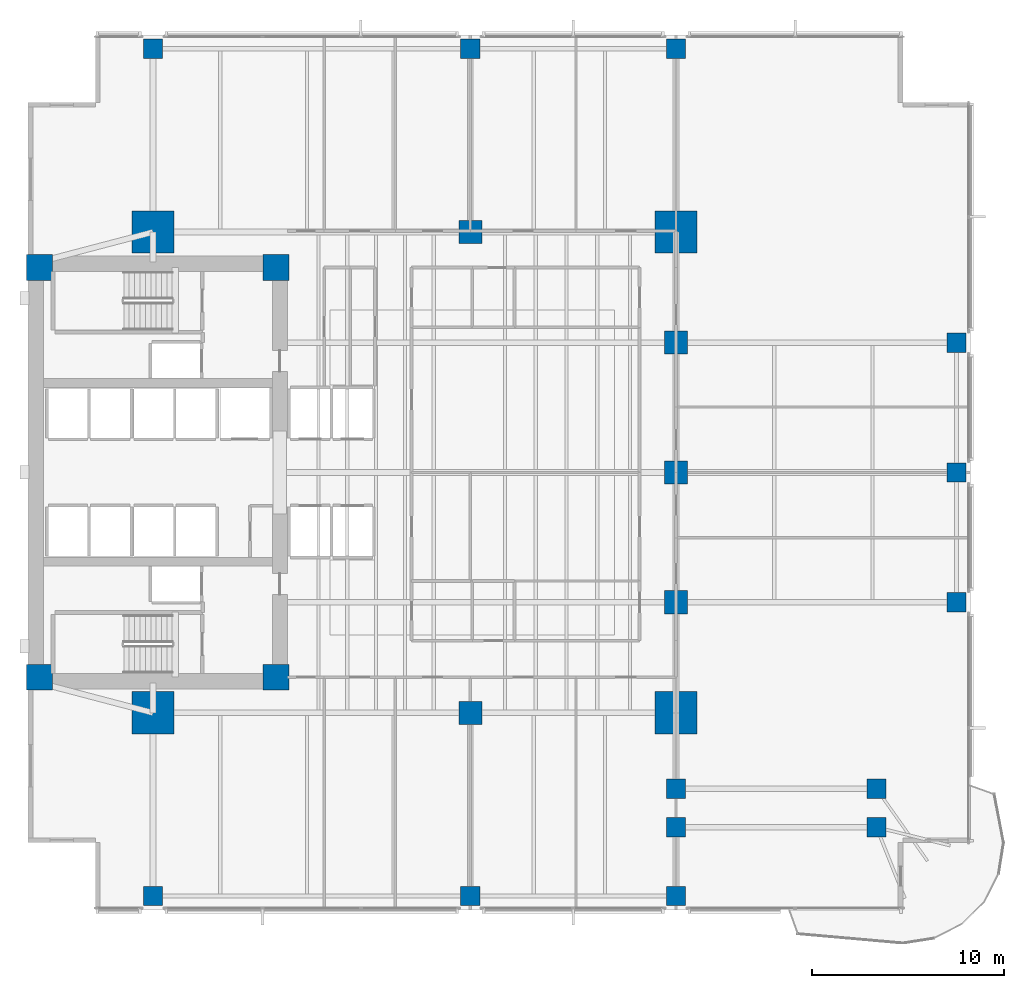
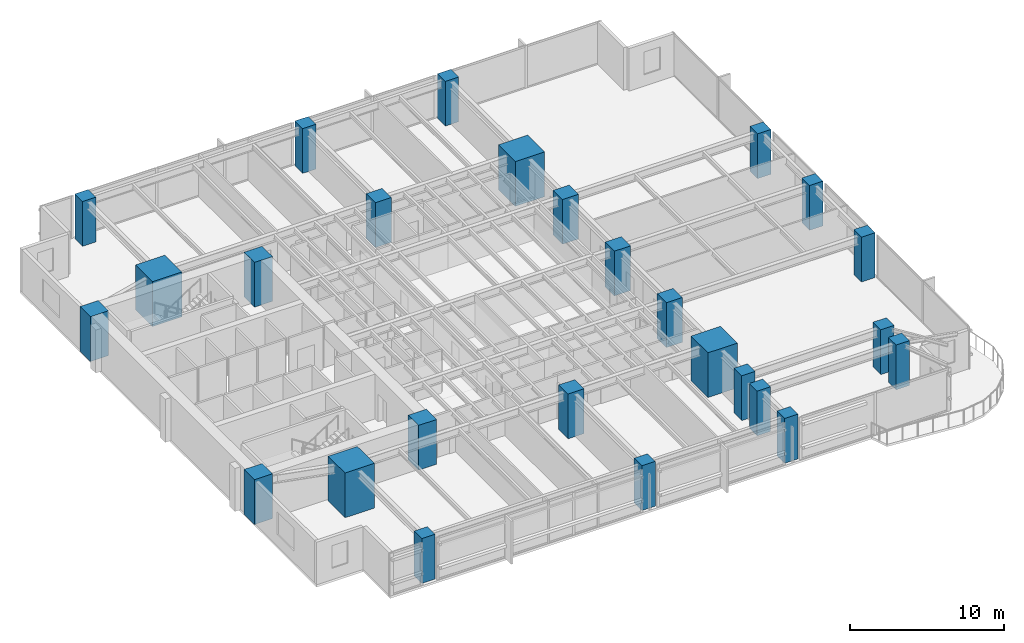
# One storey, part 1 of 15: 26 columns.
"""IFC4 building model written with IfcOpenShell, lengths in metres."""

from ifc_helpers import new_model, si_unit, direction, frame, origin, origin_2d, place, context, subcontext, project, spatial, rectangle, extrude, material, material_profile, profile_set, type_object, element, save


model = new_model("IFC4")

# Units and contexts
model_context = context("Model", 3, precision=1e-05, world=origin(), true_north=direction((0.0, 1.0)))
body_context = subcontext(model_context, "Body", "Model", "MODEL_VIEW")
ifc_project = project(units=[si_unit("LENGTHUNIT", "METRE"), si_unit("AREAUNIT", "SQUARE_METRE"), si_unit("VOLUMEUNIT", "CUBIC_METRE"), si_unit("PLANEANGLEUNIT", "RADIAN"), si_unit("MASSUNIT", "GRAM", prefix="KILO")], contexts=[model_context])

# Site, building, storey
site_placement = place(None, origin())
site = spatial("IfcSite", under=ifc_project, at=site_placement, CompositionType="ELEMENT")
building_placement = place(site_placement, origin())
building = spatial("IfcBuilding", under=site, at=building_placement, Name="Kinhvarn Gate Tower", CompositionType="ELEMENT")
storey_placement = place(building_placement, frame((0.0, 0.0, 57.550048828125)))
storey = spatial("IfcBuildingStorey", under=building, at=storey_placement, Name="L14", CompositionType="ELEMENT", Elevation=57.550048828125)

# Columns
ifc_material_1 = material(Name="Concrete C70/85", Category="concrete")
ifc_material_profile_1 = material_profile(ifc_material_1, rectangle(XDim=2.199951171875, YDim=2.199951171875, at=origin_2d()), Name="RC 2200x2200")
ifc_profile_set_1 = profile_set([ifc_material_profile_1], Name="Concrete C70/85")
column_type_1 = type_object("IfcColumnType", Name="COL-MC-2200", PredefinedType="COLUMN", material=ifc_profile_set_1)
for number, where, z_axis, x_axis, name in (
    (1, (11.0, 12.75, 0.0), (0.0, 0.0, 1.0), (1.0, 0.0, 0.0), "Column MC1-L14 (MC-22)"),
    (2, (11.0, 37.75, 0.0), (0.0, 0.0, 1.0), (1.0, 0.0, 0.0), "Column MC4-L14 (MC-22)"),
    (3, (38.199951171875, 12.75, 0.0), (0.0, 0.0, 1.0), (1.0, 0.0, 0.0), "Column MC2-L14 (MC-22)"),
    (4, (38.199951171875, 37.75, 0.0), (0.0, 0.0, 1.0), (1.0, 0.0, 0.0), "Column MC3-L14 (MC-22)"),
):
    element("IfcColumn", number, at=place(storey_placement, frame(where, z_axis=z_axis, x_axis=x_axis)), inside=storey, type_object=column_type_1, Name=name, PredefinedType="COLUMN", context=body_context, shape_type="SweptSolid", body=[
        extrude(rectangle(XDim=2.199951171875, YDim=2.199951171875, at=origin_2d()), origin(), (0.0, 0.0, 1.0), 3.550048828125),
    ])
ifc_material_2 = material(Name="Concrete C60/75", Category="concrete")
ifc_material_profile_2 = material_profile(ifc_material_2, rectangle(XDim=1.0, YDim=1.0, at=origin_2d()), Name="RC 1000x1000")
ifc_profile_set_2 = profile_set([ifc_material_profile_2], Name="Concrete C60/75")
column_type_2 = type_object("IfcColumnType", Name="COL-RC-1000", PredefinedType="COLUMN", material=ifc_profile_set_2)
for number, where, z_axis, x_axis, name in (
    (5, (48.6201171875, 6.800048828125, 0.0), (0.0, 0.0, 1.0), (1.0, 0.0, 0.0), "Column CS-SE1-L14 (C-100)"),
    (6, (38.199951171875, 6.800048828125, 0.0), (0.0, 0.0, 1.0), (1.0, 0.0, 0.0), "Column CS-ANC68-L14 (C-100)"),
    (7, (38.199951171875, 8.800048828125, 0.0), (0.0, 0.0, 1.0), (1.0, 0.0, 0.0), "Column CS-ANC88-L14 (C-100)"),
    (8, (48.6201171875, 8.800048828125, 0.0), (0.0, 0.0, 1.0), (1.0, 0.0, 0.0), "Column CS-SE1B-L14 (C-100)"),
    (9, (52.780029296875, 18.5, 0.0), (0.0, 0.0, 1.0), (1.0, 0.0, 0.0), "Column CE-1-L14 (C-100)"),
    (10, (52.780029296875, 25.25, 0.0), (0.0, 0.0, 1.0), (1.0, 0.0, 0.0), "Column CE-2-L14 (C-100)"),
    (11, (52.780029296875, 32.0, 0.0), (0.0, 0.0, 1.0), (1.0, 0.0, 0.0), "Column CE-3-L14 (C-100)"),
    (12, (11.0, 3.219970703125, 0.0), (0.0, 0.0, 1.0), (1.0, 0.0, 0.0), "Column CS-0-L14 (C-100)"),
    (13, (27.5, 3.219970703125, 0.0), (0.0, 0.0, 1.0), (1.0, 0.0, 0.0), "Column CS-1-L14 (C-100)"),
    (14, (38.199951171875, 3.219970703125, 0.0), (0.0, 0.0, 1.0), (1.0, 0.0, 0.0), "Column CS-2-L14 (C-100)"),
    (15, (11.0, 47.280029296875, 0.0), (0.0, 0.0, 1.0), (1.0, 0.0, 0.0), "Column CN-0-L14 (C-100)"),
    (16, (27.5, 47.280029296875, 0.0), (0.0, 0.0, 1.0), (1.0, 0.0, 0.0), "Column CN-1-L14 (C-100)"),
    (17, (38.199951171875, 47.280029296875, 0.0), (0.0, 0.0, 1.0), (1.0, 0.0, 0.0), "Column CN-2-L14 (C-100)"),
):
    element("IfcColumn", number, at=place(storey_placement, frame(where, z_axis=z_axis, x_axis=x_axis)), inside=storey, type_object=column_type_2, Name=name, PredefinedType="COLUMN", context=body_context, shape_type="SweptSolid", body=[
        extrude(rectangle(XDim=1.0, YDim=1.0, at=origin_2d()), origin(), (0.0, 0.0, 1.0), 3.550048828125),
    ])
ifc_material_profile_3 = material_profile(ifc_material_2, rectangle(XDim=1.199951171875, YDim=1.199951171875, at=origin_2d()), Name="RC 1200x1200")
ifc_profile_set_3 = profile_set([ifc_material_profile_3], Name="Concrete C60/75")
column_type_3 = type_object("IfcColumnType", Name="COL-RC-1200", PredefinedType="COLUMN", material=ifc_profile_set_3)
for number, where, z_axis, x_axis, name in (
    (18, (27.5, 12.75, 0.0), (0.0, 0.0, 1.0), (1.0, 0.0, 0.0), "Column SP27-S-L14 (C-120)"),
    (19, (27.5, 37.75, 0.0), (0.0, 0.0, 1.0), (1.0, 0.0, 0.0), "Column SP27-N-L14 (C-120)"),
    (20, (38.199951171875, 18.5, 0.0), (0.0, 0.0, 1.0), (1.0, 0.0, 0.0), "Column SP38-E1-L14 (C-120)"),
    (21, (38.199951171875, 25.25, 0.0), (0.0, 0.0, 1.0), (1.0, 0.0, 0.0), "Column SP38-E2-L14 (C-120)"),
    (22, (38.199951171875, 32.0, 0.0), (0.0, 0.0, 1.0), (1.0, 0.0, 0.0), "Column SP38-E3-L14 (C-120)"),
):
    element("IfcColumn", number, at=place(storey_placement, frame(where, z_axis=z_axis, x_axis=x_axis)), inside=storey, type_object=column_type_3, Name=name, PredefinedType="COLUMN", context=body_context, shape_type="SweptSolid", body=[
        extrude(rectangle(XDim=1.199951171875, YDim=1.199951171875, at=origin_2d()), origin(), (0.0, 0.0, 1.0), 3.550048828125),
    ])
ifc_material_profile_4 = material_profile(ifc_material_1, rectangle(XDim=1.35009765625, YDim=1.35009765625, at=origin_2d()), Name="RC 1350x1350")
ifc_profile_set_4 = profile_set([ifc_material_profile_4], Name="Concrete C70/85")
column_type_4 = type_object("IfcColumnType", Name="PIL-RC-1350", PredefinedType="PILASTER", material=ifc_profile_set_4)
for number, where, z_axis, x_axis, name in (
    (23, (5.10009765625, 14.60009765625, 0.0), (0.0, 0.0, 1.0), (1.0, 0.0, 0.0), "Column CC-SW-L14 (CP-135)"),
    (24, (5.10009765625, 35.89990234375, 0.0), (0.0, 0.0, 1.0), (1.0, 0.0, 0.0), "Column CC-NW-L14 (CP-135)"),
    (25, (17.39990234375, 14.60009765625, 0.0), (0.0, 0.0, 1.0), (1.0, 0.0, 0.0), "Column CC-SE-L14 (CP-135)"),
    (26, (17.39990234375, 35.89990234375, 0.0), (0.0, 0.0, 1.0), (1.0, 0.0, 0.0), "Column CC-NE-L14 (CP-135)"),
):
    element("IfcColumn", number, at=place(storey_placement, frame(where, z_axis=z_axis, x_axis=x_axis)), inside=storey, type_object=column_type_4, Name=name, PredefinedType="PILASTER", context=body_context, shape_type="SweptSolid", body=[
        extrude(rectangle(XDim=1.35009765625, YDim=1.35009765625, at=origin_2d()), origin(), (0.0, 0.0, 1.0), 3.550048828125),
    ])

save(model, "model.ifc")
